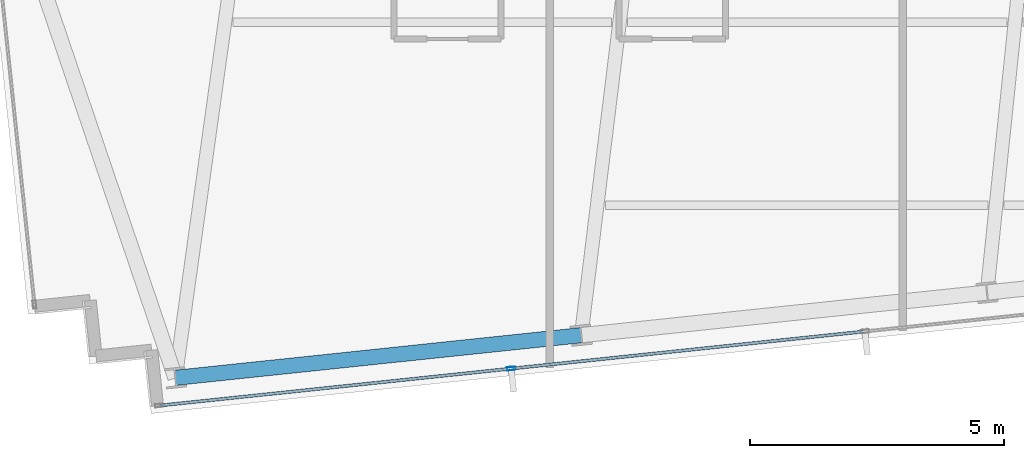
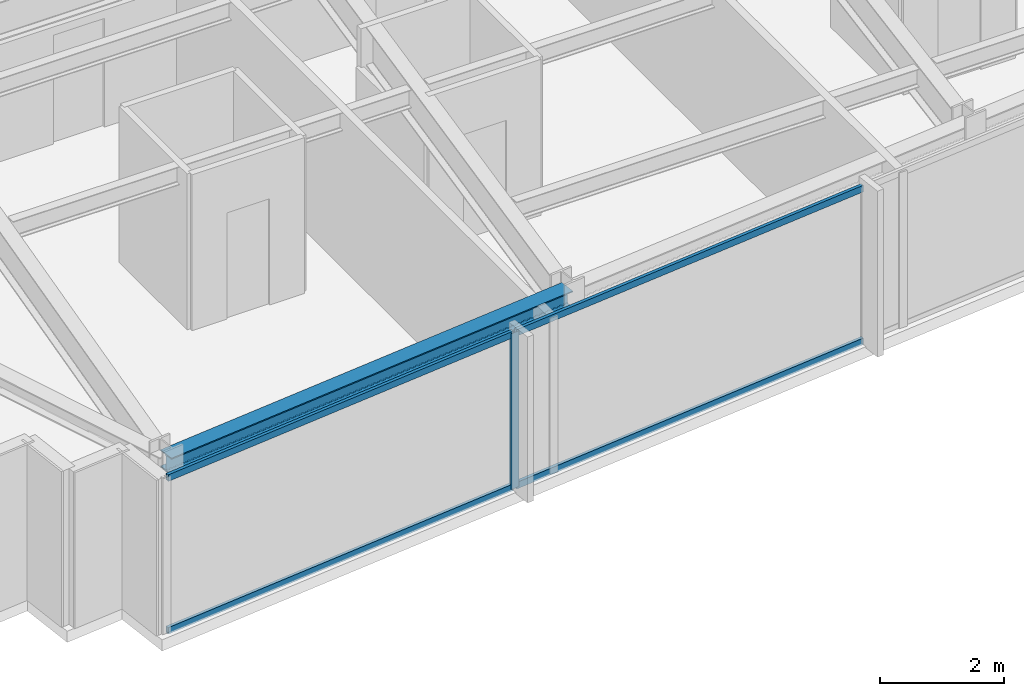
# One storey, part 3 of 33: 5 members, 1 beam, 1 element without a shape of its own.
"""IFC4 building model written with IfcOpenShell, lengths in metres."""

from ifc_helpers import new_model, si_unit, direction, frame, origin, origin_2d, place, context, subcontext, project, spatial, hollow_rectangle, i_section, extrude, material, material_profile, profile_set, type_object, element, aggregate, save


model = new_model("IFC4")

# Units and contexts
model_context = context("Model", 3, precision=1e-05, world=origin(), true_north=direction((0.0, 1.0)))
body_context = subcontext(model_context, "Body", "Model", "MODEL_VIEW")
ifc_project = project(units=[si_unit("LENGTHUNIT", "METRE"), si_unit("AREAUNIT", "SQUARE_METRE"), si_unit("VOLUMEUNIT", "CUBIC_METRE"), si_unit("PLANEANGLEUNIT", "RADIAN"), si_unit("MASSUNIT", "GRAM", prefix="KILO")], contexts=[model_context])

# Site, building, storey
site_placement = place(None, origin())
site = spatial("IfcSite", under=ifc_project, at=site_placement, CompositionType="ELEMENT")
building_placement = place(site_placement, origin())
building = spatial("IfcBuilding", under=site, at=building_placement, Name="Yelkora Congress Tower", CompositionType="ELEMENT")
storey_placement = place(building_placement, frame((0.0, 0.0, 237.5)))
storey = spatial("IfcBuildingStorey", under=building, at=storey_placement, Name="L66", CompositionType="ELEMENT", Elevation=237.5)

# Beam
ifc_material_1 = material(Name="Steel S355J2", Category="steel")
ifc_material_profile_1 = material_profile(ifc_material_1, i_section(OverallWidth=0.300048828125, OverallDepth=0.340087890625, WebThickness=0.011962890625, FlangeThickness=0.021484375, FilletRadius=0.027099609375, at=origin_2d()), Name="HEB 340")
ifc_profile_set_1 = profile_set([ifc_material_profile_1], Name="Steel S355J2")
beam_type = type_object("IfcBeamType", Name="BM-SPAN-HEB340", PredefinedType="SPANDREL", material=ifc_profile_set_1)
beam_placement = place(storey_placement, frame((21.299072265625, 12.678466796875, 2.909912109375), z_axis=(0.994520097542, 0.104545567032, 0.0), x_axis=(-0.104545567032, 0.994520097542, 0.0)))
element("IfcBeam", 1, at=beam_placement, inside=storey, type_object=beam_type, Name="L66 Perimeter Beam 3", PredefinedType="SPANDREL", context=body_context, shape_type="SweptSolid", body=[
    extrude(i_section(OverallWidth=0.300048828125, OverallDepth=0.340087890625, WebThickness=0.011962890625, FlangeThickness=0.021484375, FilletRadius=0.027099609375, at=origin_2d()), origin(), (0.0, 0.0, 1.0), 8.033203125),
])

# Curtain wall, members
ifc_material_2 = material(Name="Anodised aluminium and insulated glass", Category="aluminium")
curtain_wall_type = type_object("IfcCurtainWallType", Name="CW-SYS-B4", PredefinedType="NOTDEFINED", material=ifc_material_2)
curtain_wall_placement = place(storey_placement, origin())
curtain_wall = element("IfcCurtainWall", 2, at=curtain_wall_placement, inside=storey, type_object=curtain_wall_type, Name="L66 Unitised Curtain Wall 20", PredefinedType="NOTDEFINED")
ifc_material_3 = material(Name="Anodised aluminium 6063-T6", Category="aluminium")
ifc_material_profile_2 = material_profile(ifc_material_3, hollow_rectangle(XDim=0.06494140625, YDim=0.159912109375, WallThickness=0.00390625, at=origin_2d()), Name="ALU 65x160x4")
ifc_profile_set_2 = profile_set([ifc_material_profile_2], Name="Anodised aluminium 6063-T6")
member_type_1 = type_object("IfcMemberType", Name="MEM-ML-B4", PredefinedType="MULLION", material=ifc_profile_set_2)
member_1_placement = place(storey_placement, frame((27.9091796875, 12.860595703125, 0.0), z_axis=(0.0, 0.0, 1.0), x_axis=(0.104526664994, -0.994522084373, 0.0)))
member_1 = element("IfcMember", 3, at=member_1_placement, type_object=member_type_1, Name="CW-B4 mullion 7", PredefinedType="MULLION", context=body_context, shape_type="SweptSolid", body=[
    extrude(hollow_rectangle(XDim=0.06494140625, YDim=0.159912109375, WallThickness=0.00390625, at=origin_2d()), origin(), (0.0, 0.0, 1.0), 3.080078125),
])
ifc_material_profile_3 = material_profile(ifc_material_3, hollow_rectangle(XDim=0.06005859375, YDim=0.1298828125, WallThickness=0.00390625, at=origin_2d()), Name="ALU 60x130x4")
ifc_profile_set_3 = profile_set([ifc_material_profile_3], Name="Anodised aluminium 6063-T6")
member_type_2 = type_object("IfcMemberType", Name="MEM-TR-B4", PredefinedType="USERDEFINED", material=ifc_profile_set_3)
member_2_placement = place(storey_placement, frame((34.84130859375, 13.589111328125, 0.030029296875), z_axis=(-0.994519904787, -0.104547400648, 0.0), x_axis=(0.104547400648, -0.994519904787, 0.0)))
member_2 = element("IfcMember", 4, at=member_2_placement, type_object=member_type_2, Name="CW-B4 transom 6.1", ObjectType="TRANSOM", PredefinedType="USERDEFINED", context=body_context, shape_type="SweptSolid", body=[
    extrude(hollow_rectangle(XDim=0.06005859375, YDim=0.1298828125, WallThickness=0.00390625, at=origin_2d()), origin(), (0.0, 0.0, 1.0), 6.93798828125),
])
member_3_placement = place(storey_placement, frame((34.84130859375, 13.589111328125, 3.050048828125), z_axis=(-0.994519904787, -0.104547400648, 0.0), x_axis=(0.104547400648, -0.994519904787, 0.0)))
member_3 = element("IfcMember", 5, at=member_3_placement, type_object=member_type_2, Name="CW-B4 transom 6.2", ObjectType="TRANSOM", PredefinedType="USERDEFINED", context=body_context, shape_type="SweptSolid", body=[
    extrude(hollow_rectangle(XDim=0.06005859375, YDim=0.1298828125, WallThickness=0.00390625, at=origin_2d()), origin(), (0.0, 0.0, 1.0), 6.93798828125),
])
member_4_placement = place(storey_placement, frame((27.876708984375, 12.857177734375, 0.030029296875), z_axis=(-0.994519973075, -0.104546751053, 0.0), x_axis=(0.104546751053, -0.994519973075, 0.0)))
member_4 = element("IfcMember", 6, at=member_4_placement, type_object=member_type_2, Name="CW-B4 transom 7.1", ObjectType="TRANSOM", PredefinedType="USERDEFINED", context=body_context, shape_type="SweptSolid", body=[
    extrude(hollow_rectangle(XDim=0.06005859375, YDim=0.1298828125, WallThickness=0.00390625, at=origin_2d()), origin(), (0.0, 0.0, 1.0), 6.9052734375),
])
member_5_placement = place(storey_placement, frame((27.876708984375, 12.857177734375, 3.050048828125), z_axis=(-0.994519973075, -0.104546751053, 0.0), x_axis=(0.104546751053, -0.994519973075, 0.0)))
member_5 = element("IfcMember", 7, at=member_5_placement, type_object=member_type_2, Name="CW-B4 transom 7.2", ObjectType="TRANSOM", PredefinedType="USERDEFINED", context=body_context, shape_type="SweptSolid", body=[
    extrude(hollow_rectangle(XDim=0.06005859375, YDim=0.1298828125, WallThickness=0.00390625, at=origin_2d()), origin(), (0.0, 0.0, 1.0), 6.9052734375),
])
aggregate(curtain_wall, [member_1, member_2, member_3, member_4, member_5])

save(model, "model.ifc")
